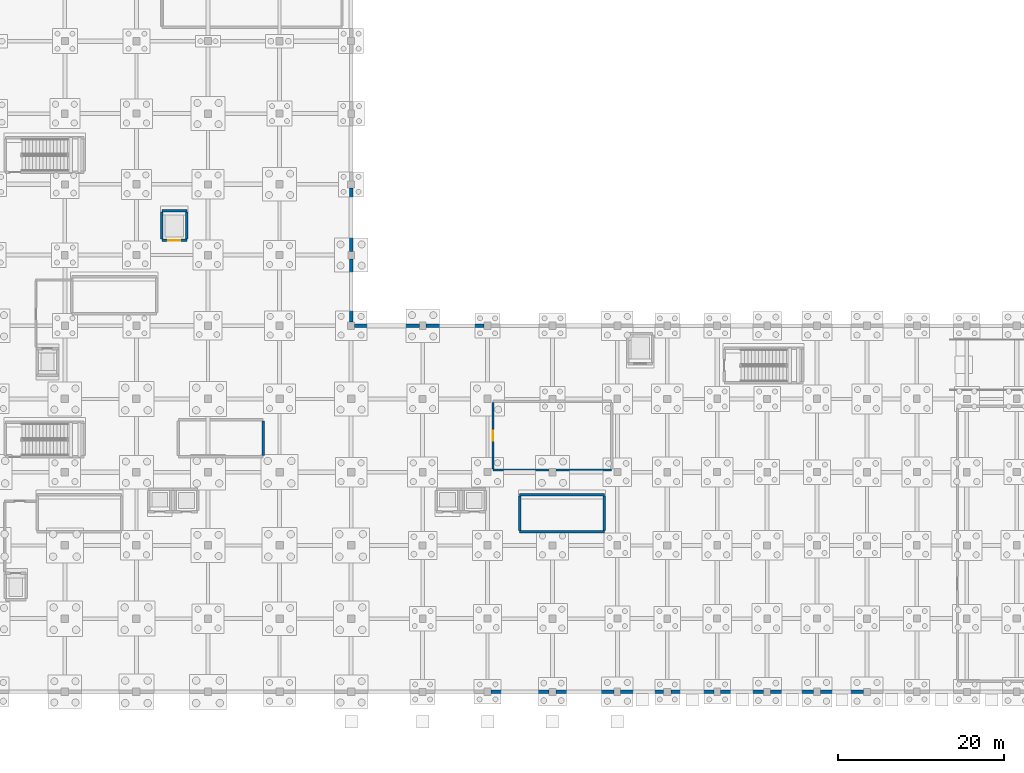
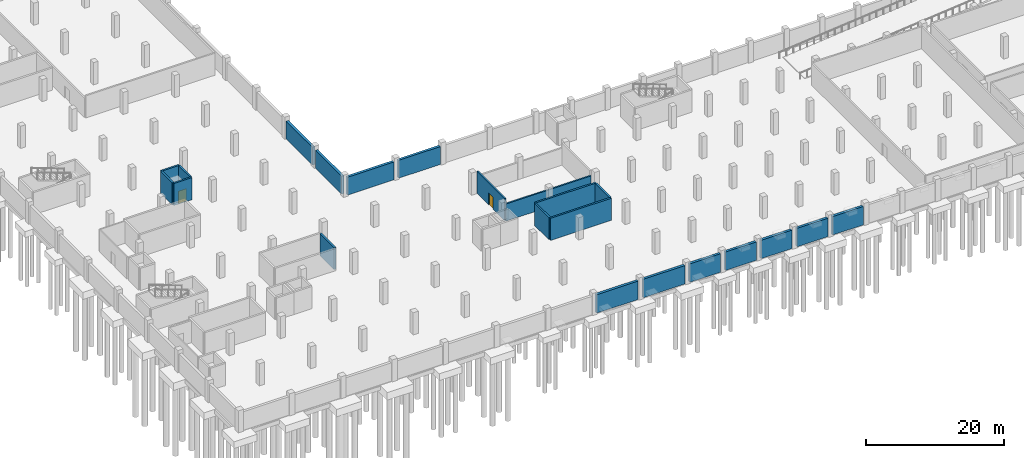
# One storey, part 15 of 28: 22 walls, 2 doors, 2 openings.
"""IFC4 building model written with IfcOpenShell, lengths in metres."""

from ifc_helpers import new_model, si_unit, direction, frame, frame_2d, origin, place, context, subcontext, project, spatial, rectangle, extrude, material, layer, layer_set, type_object, element, fill, save


model = new_model("IFC4")

# Units and contexts
model_context = context("Model", 3, precision=1e-05, world=origin(), true_north=direction((0.0, 1.0)))
body_context = subcontext(model_context, "Body", "Model", "MODEL_VIEW")
ifc_project = project(units=[si_unit("LENGTHUNIT", "METRE"), si_unit("AREAUNIT", "SQUARE_METRE"), si_unit("VOLUMEUNIT", "CUBIC_METRE"), si_unit("PLANEANGLEUNIT", "RADIAN"), si_unit("MASSUNIT", "GRAM", prefix="KILO")], contexts=[model_context])

# Site, building, storey
site_placement = place(None, origin())
site = spatial("IfcSite", under=ifc_project, at=site_placement, CompositionType="ELEMENT")
building_placement = place(site_placement, origin())
building = spatial("IfcBuilding", under=site, at=building_placement, Name="Varnakota Cinema and Media Centre", CompositionType="ELEMENT")
storey_placement = place(building_placement, frame((0.0, 0.0, -4.199951171875)))
storey = spatial("IfcBuildingStorey", under=building, at=storey_placement, Name="B1", CompositionType="ELEMENT", Elevation=-4.199951171875)

# Walls
ifc_material_1 = material(Name="Concrete M40", Category="concrete")
ifc_layer_1 = layer(ifc_material_1, 0.300048828125)
ifc_layer_set_1 = layer_set([ifc_layer_1], Name="Concrete M40")
wall_type_1 = type_object("IfcWallType", Name="W-CORE-300", PredefinedType="SHEAR", material=ifc_layer_set_1)
wall_1_placement = place(storey_placement, frame((32.429931640625, 32.550048828125, 0.0), z_axis=(0.0, 0.0, 1.0), x_axis=(0.0, -1.0, 0.0)))
element("IfcWall", 1, at=wall_1_placement, inside=storey, type_object=wall_type_1, Name="B1 CWALL-ST-02-B1 E wall", PredefinedType="SHEAR", context=body_context, shape_type="SweptSolid", body=[
    extrude(rectangle(XDim=4.150146484375, YDim=0.300048828125, at=frame_2d((2.0751953125, 0.0))), origin(), (0.0, 0.0, 1.0), 3.919921875),
])
wall_2_placement = place(storey_placement, frame((73.429931640625, 19.25, 0.0), z_axis=(0.0, 0.0, 1.0), x_axis=(-1.0, 0.0, 0.0)))
element("IfcWall", 2, at=wall_2_placement, inside=storey, type_object=wall_type_1, Name="B1 CWALL-ST-04-B1 S wall", PredefinedType="SHEAR", context=body_context, shape_type="SweptSolid", body=[
    extrude(rectangle(XDim=10.179931640625, YDim=0.300048828125, at=frame_2d((5.08984375, 0.0))), origin(), (0.0, 0.0, 1.0), 3.919921875),
])
wall_3_placement = place(storey_placement, frame((63.25, 19.39990234375, 0.0), z_axis=(0.0, 0.0, 1.0), x_axis=(0.0, 1.0, 0.0)))
element("IfcWall", 3, at=wall_3_placement, inside=storey, type_object=wall_type_1, Name="B1 CWALL-ST-04-B1 W wall", PredefinedType="SHEAR", context=body_context, shape_type="SweptSolid", body=[
    extrude(rectangle(XDim=4.150146484375, YDim=0.300048828125, at=frame_2d((2.0751953125, 0.0))), origin(), (0.0, 0.0, 1.0), 3.919921875),
])
wall_4_placement = place(storey_placement, frame((63.25, 23.699951171875, 0.0), z_axis=(0.0, 0.0, 1.0), x_axis=(1.0, 0.0, 0.0)))
element("IfcWall", 4, at=wall_4_placement, inside=storey, type_object=wall_type_1, Name="B1 CWALL-ST-04-B1 N wall", PredefinedType="SHEAR", context=body_context, shape_type="SweptSolid", body=[
    extrude(rectangle(XDim=10.179931640625, YDim=0.300048828125, at=frame_2d((5.08984375, 0.0))), origin(), (0.0, 0.0, 1.0), 3.919921875),
])
wall_5_placement = place(storey_placement, frame((73.429931640625, 23.550048828125, 0.0), z_axis=(0.0, 0.0, 1.0), x_axis=(0.0, -1.0, 0.0)))
element("IfcWall", 5, at=wall_5_placement, inside=storey, type_object=wall_type_1, Name="B1 CWALL-ST-04-B1 E wall", PredefinedType="SHEAR", context=body_context, shape_type="SweptSolid", body=[
    extrude(rectangle(XDim=4.150146484375, YDim=0.300048828125, at=frame_2d((2.0751953125, 0.0))), origin(), (0.0, 0.0, 1.0), 3.919921875),
])

# Wall, opening, door
wall_6_placement = place(storey_placement, frame((23.25, 54.25, 0.0), z_axis=(0.0, 0.0, 1.0), x_axis=(-1.0, 0.0, 0.0)))
wall_6 = element("IfcWall", 6, at=wall_6_placement, inside=storey, type_object=wall_type_1, Name="B1 LSHAFT-LF-07-B1 S wall", PredefinedType="SHEAR", context=body_context, shape_type="SweptSolid", body=[
    extrude(rectangle(XDim=3.0, YDim=0.300048828125, at=frame_2d((1.5, 0.0))), origin(), (0.0, 0.0, 1.0), 3.919921875),
])
opening_1_placement = place(wall_6_placement, frame((0.800048828125, 0.0, 0.0)))
opening_1 = element("IfcOpeningElement", 7, at=opening_1_placement, cuts=wall_6, Name="Opening LD-07", PredefinedType="OPENING", context=body_context, shape_type="SweptSolid", body=[
    extrude(rectangle(XDim=1.39990234375, YDim=2.199951171875, at=frame_2d((0.699951171875, 1.10009765625))), frame((0.0, 0.14990234375, 0.0), z_axis=(0.0, -1.0, 0.0), x_axis=(1.0, 0.0, 0.0)), (0.0, 0.0, 1.0), 0.300048828125),
])
ifc_material_2 = material(Name="Thermally broken anodised aluminium AW-6063", Category="aluminium")
door_type_1 = type_object("IfcDoorType", Name="DR-LIFT-1400x2200", OperationType="DOUBLE_DOOR_SLIDING", PredefinedType="DOOR", material=ifc_material_2)
door_1_placement = place(opening_1_placement, origin())
door_1 = element("IfcDoor", 8, at=door_1_placement, inside=storey, type_object=door_type_1, Name="B1 door LD-07", OperationType="DOUBLE_DOOR_SLIDING", OverallHeight=2.199951171875, OverallWidth=1.39990234375, PredefinedType="DOOR", context=body_context, shape_type="SweptSolid", body=[
    extrude(rectangle(XDim=1.39990234375, YDim=2.199951171875, at=frame_2d((0.699951171875, 1.10009765625))), frame((0.0, 0.02490234375, 0.0), z_axis=(0.0, -1.0, 0.0), x_axis=(1.0, 0.0, 0.0)), (0.0, 0.0, 1.0), 0.050048828125),
])
fill(opening_1, door_1)

# Walls
wall_7_placement = place(storey_placement, frame((20.25, 54.39990234375, 0.0), z_axis=(0.0, 0.0, 1.0), x_axis=(0.0, 1.0, 0.0)))
element("IfcWall", 9, at=wall_7_placement, inside=storey, type_object=wall_type_1, Name="B1 LSHAFT-LF-07-B1 W wall", PredefinedType="SHEAR", context=body_context, shape_type="SweptSolid", body=[
    extrude(rectangle(XDim=3.300048828125, YDim=0.300048828125, at=frame_2d((1.64990234375, 0.0))), origin(), (0.0, 0.0, 1.0), 3.919921875),
])
wall_8_placement = place(storey_placement, frame((20.25, 57.85009765625, 0.0), z_axis=(0.0, 0.0, 1.0), x_axis=(1.0, 0.0, 0.0)))
element("IfcWall", 10, at=wall_8_placement, inside=storey, type_object=wall_type_1, Name="B1 LSHAFT-LF-07-B1 N wall", PredefinedType="SHEAR", context=body_context, shape_type="SweptSolid", body=[
    extrude(rectangle(XDim=3.0, YDim=0.300048828125, at=frame_2d((1.5, 0.0))), origin(), (0.0, 0.0, 1.0), 3.919921875),
])
wall_9_placement = place(storey_placement, frame((23.25, 57.699951171875, 0.0), z_axis=(0.0, 0.0, 1.0), x_axis=(0.0, -1.0, 0.0)))
element("IfcWall", 11, at=wall_9_placement, inside=storey, type_object=wall_type_1, Name="B1 LSHAFT-LF-07-B1 E wall", PredefinedType="SHEAR", context=body_context, shape_type="SweptSolid", body=[
    extrude(rectangle(XDim=3.300048828125, YDim=0.300048828125, at=frame_2d((1.64990234375, 0.0))), origin(), (0.0, 0.0, 1.0), 3.919921875),
])
ifc_material_3 = material(Name="Autoclaved aerated concrete blockwork", Category="masonry")
ifc_layer_2 = layer(ifc_material_3, 0.25)
ifc_layer_set_2 = layer_set([ifc_layer_2], Name="Autoclaved aerated concrete blockwork")
wall_type_2 = type_object("IfcWallType", Name="W-FIRE-250", PredefinedType="SOLIDWALL", material=ifc_layer_set_2)
wall_10_placement = place(storey_placement, frame((74.324951171875, 26.675048828125, 0.0), z_axis=(0.0, 0.0, 1.0), x_axis=(-1.0, 0.0, 0.0)))
element("IfcWall", 12, at=wall_10_placement, inside=storey, type_object=wall_type_2, Name="B1 RWALL-RM-B1-VAULT S wall", PredefinedType="SOLIDWALL", context=body_context, shape_type="SweptSolid", body=[
    extrude(rectangle(XDim=14.25, YDim=0.25, at=frame_2d((7.125, 0.0))), origin(), (0.0, 0.0, 1.0), 3.050048828125),
])

# Wall, opening, door
wall_11_placement = place(storey_placement, frame((60.074951171875, 26.800048828125, 0.0), z_axis=(0.0, 0.0, 1.0), x_axis=(0.0, 1.0, 0.0)))
wall_11 = element("IfcWall", 13, at=wall_11_placement, inside=storey, type_object=wall_type_2, Name="B1 RWALL-RM-B1-VAULT W wall", PredefinedType="SOLIDWALL", context=body_context, shape_type="SweptSolid", body=[
    extrude(rectangle(XDim=8.0, YDim=0.25, at=frame_2d((4.0, 0.0))), origin(), (0.0, 0.0, 1.0), 3.89990234375),
])
opening_2_placement = place(wall_11_placement, frame((3.39990234375, 0.0, 0.0)))
opening_2 = element("IfcOpeningElement", 14, at=opening_2_placement, cuts=wall_11, Name="Opening D-045", PredefinedType="OPENING", context=body_context, shape_type="SweptSolid", body=[
    extrude(rectangle(XDim=1.199951171875, YDim=2.14990234375, at=frame_2d((0.60009765625, 1.074951171875))), frame((0.0, 0.125, 0.0), z_axis=(0.0, -1.0, 0.0), x_axis=(1.0, 0.0, 0.0)), (0.0, 0.0, 1.0), 0.25),
])
ifc_material_4 = material(Name="Thermally broken anodised aluminium AW-6063", Category="aluminium")
door_type_2 = type_object("IfcDoorType", Name="DR-STD-1200x2150", OperationType="NOTDEFINED", PredefinedType="DOOR", material=ifc_material_4)
door_2_placement = place(opening_2_placement, origin())
door_2 = element("IfcDoor", 15, at=door_2_placement, inside=storey, type_object=door_type_2, Name="B1 door D-045", OperationType="SINGLE_SWING_LEFT", OverallHeight=2.14990234375, OverallWidth=1.199951171875, PredefinedType="DOOR", context=body_context, shape_type="SweptSolid", body=[
    extrude(rectangle(XDim=1.199951171875, YDim=2.14990234375, at=frame_2d((0.60009765625, 1.074951171875))), frame((0.0, 0.02490234375, 0.0), z_axis=(0.0, -1.0, 0.0), x_axis=(1.0, 0.0, 0.0)), (0.0, 0.0, 1.0), 0.050048828125),
])
fill(opening_2, door_2)

# Walls
ifc_material_5 = material(Name="Concrete M40", Category="concrete")
ifc_layer_3 = layer(ifc_material_5, 0.419921875)
ifc_layer_set_3 = layer_set([ifc_layer_3], Name="Concrete M40")
wall_type_3 = type_object("IfcWallType", Name="W-RET-420", PredefinedType="USERDEFINED", material=ifc_layer_set_3)
for number, where, z_axis, x_axis, name in (
    (16, (104.574951171875, 0.0, 0.0), (0.0, 0.0, 1.0), (-1.0, 0.0, 0.0), "B1 retaining wall B1-S-9"),
    (17, (98.60009765625, 0.0, 0.0), (0.0, 0.0, 1.0), (-1.0, 0.0, 0.0), "B1 retaining wall B1-S-10"),
    (18, (92.574951171875, 0.0, 0.0), (0.0, 0.0, 1.0), (-1.0, 0.0, 0.0), "B1 retaining wall B1-S-11"),
    (19, (86.60009765625, 0.0, 0.0), (0.0, 0.0, 1.0), (-1.0, 0.0, 0.0), "B1 retaining wall B1-S-12"),
    (20, (80.574951171875, 0.0, 0.0), (0.0, 0.0, 1.0), (-1.0, 0.0, 0.0), "B1 retaining wall B1-S-13"),
):
    element("IfcWall", number, at=place(storey_placement, frame(where, z_axis=z_axis, x_axis=x_axis)), inside=storey, type_object=wall_type_3, Name=name, ObjectType="RETAINING WALL", PredefinedType="USERDEFINED", context=body_context, shape_type="SweptSolid", body=[
        extrude(rectangle(XDim=5.175048828125, YDim=0.419921875, at=frame_2d((2.58740234375, 0.0))), origin(), (0.0, 0.0, 1.0), 3.27001953125),
    ])
wall_12_placement = place(storey_placement, frame((74.60009765625, 0.0, 0.0), z_axis=(0.0, 0.0, 1.0), x_axis=(-1.0, 0.0, 0.0)))
element("IfcWall", 21, at=wall_12_placement, inside=storey, type_object=wall_type_3, Name="B1 retaining wall B1-S-14", ObjectType="RETAINING WALL", PredefinedType="USERDEFINED", context=body_context, shape_type="SweptSolid", body=[
    extrude(rectangle(XDim=6.97509765625, YDim=0.419921875, at=frame_2d((3.487548828125, 0.0))), origin(), (0.0, 0.0, 1.0), 3.27001953125),
])
wall_13_placement = place(storey_placement, frame((66.77490234375, 0.0, 0.0), z_axis=(0.0, 0.0, 1.0), x_axis=(-1.0, 0.0, 0.0)))
element("IfcWall", 22, at=wall_13_placement, inside=storey, type_object=wall_type_3, Name="B1 retaining wall B1-S-15", ObjectType="RETAINING WALL", PredefinedType="USERDEFINED", context=body_context, shape_type="SweptSolid", body=[
    extrude(rectangle(XDim=6.974853515625, YDim=0.419921875, at=frame_2d((3.4873046875, 0.0))), origin(), (0.0, 0.0, 1.0), 3.27001953125),
])
for number, where, z_axis, x_axis, name in (
    (23, (43.0, 60.574951171875, 0.0), (0.0, 0.0, 1.0), (0.0, -1.0, 0.0), "B1 retaining wall B1-ENW-7"),
    (24, (43.0, 52.050048828125, 0.0), (0.0, 0.0, 1.0), (0.0, -1.0, 0.0), "B1 retaining wall B1-ENW-8"),
):
    element("IfcWall", number, at=place(storey_placement, frame(where, z_axis=z_axis, x_axis=x_axis)), inside=storey, type_object=wall_type_3, Name=name, ObjectType="RETAINING WALL", PredefinedType="USERDEFINED", context=body_context, shape_type="SweptSolid", body=[
        extrude(rectangle(XDim=7.625, YDim=0.419921875, at=frame_2d((3.8125, 0.0))), origin(), (0.0, 0.0, 1.0), 3.169921875),
    ])
wall_14_placement = place(storey_placement, frame((43.425048828125, 44.0, 0.0), z_axis=(0.0, 0.0, 1.0), x_axis=(1.0, 0.0, 0.0)))
element("IfcWall", 25, at=wall_14_placement, inside=storey, type_object=wall_type_3, Name="B1 retaining wall B1-NSE-1", ObjectType="RETAINING WALL", PredefinedType="USERDEFINED", context=body_context, shape_type="SweptSolid", body=[
    extrude(rectangle(XDim=7.77490234375, YDim=0.419921875, at=frame_2d((3.887451171875, 0.0))), origin(), (0.0, 0.0, 1.0), 3.169921875),
])
wall_15_placement = place(storey_placement, frame((52.0, 44.0, 0.0), z_axis=(0.0, 0.0, 1.0), x_axis=(1.0, 0.0, 0.0)))
element("IfcWall", 26, at=wall_15_placement, inside=storey, type_object=wall_type_3, Name="B1 retaining wall B1-NSE-2", ObjectType="RETAINING WALL", PredefinedType="USERDEFINED", context=body_context, shape_type="SweptSolid", body=[
    extrude(rectangle(XDim=6.97509765625, YDim=0.419921875, at=frame_2d((3.487548828125, 0.0))), origin(), (0.0, 0.0, 1.0), 3.169921875),
])

save(model, "model.ifc")
